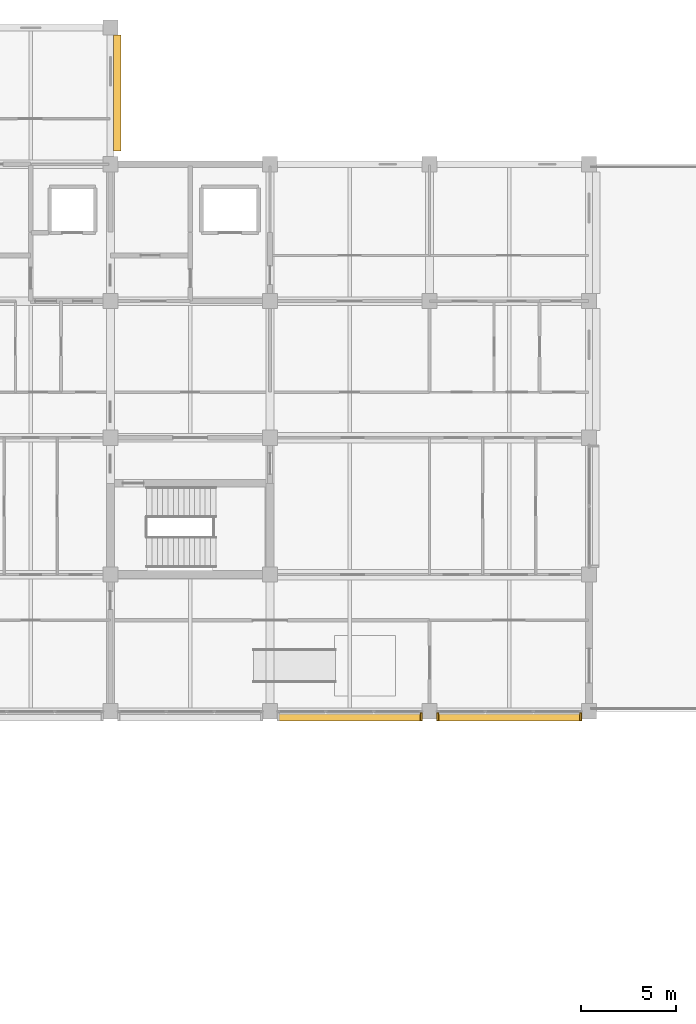
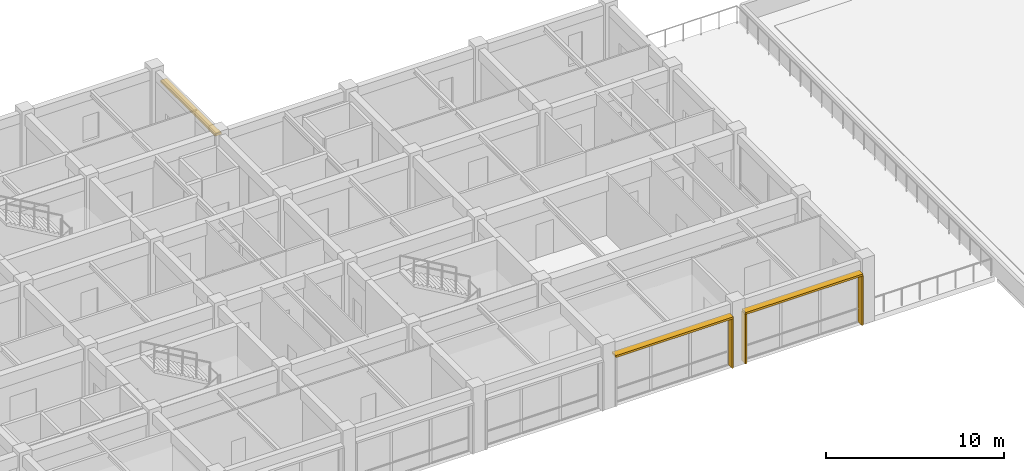
# One storey, part 38 of 40: 6 shading devices.
"""IFC4 building model written with IfcOpenShell, lengths in metres."""

from ifc_helpers import new_model, si_unit, direction, frame, origin, origin_2d, place, context, subcontext, project, spatial, rectangle, extrude, material, type_object, element, save


model = new_model("IFC4")

# Units and contexts
model_context = context("Model", 3, precision=1e-05, world=origin(), true_north=direction((0.0, 1.0)))
body_context = subcontext(model_context, "Body", "Model", "MODEL_VIEW")
ifc_project = project(units=[si_unit("LENGTHUNIT", "METRE"), si_unit("AREAUNIT", "SQUARE_METRE"), si_unit("VOLUMEUNIT", "CUBIC_METRE"), si_unit("PLANEANGLEUNIT", "RADIAN"), si_unit("MASSUNIT", "GRAM", prefix="KILO")], contexts=[model_context])

# Site, building, storey
site_placement = place(None, origin())
site = spatial("IfcSite", under=ifc_project, at=site_placement, CompositionType="ELEMENT")
building_placement = place(site_placement, origin())
building = spatial("IfcBuilding", under=site, at=building_placement, Name="Chengyuan Square Courthouse", CompositionType="ELEMENT")
storey_placement = place(building_placement, frame((0.0, 0.0, 21.60009765625)))
storey = spatial("IfcBuildingStorey", under=building, at=storey_placement, Name="L05", CompositionType="ELEMENT", Elevation=21.60009765625)

# Shading devices
ifc_material_1 = material(Name="Glulam TCt28 Solar Shading Fin", Category="wood")
shading_device_type_1 = type_object("IfcShadingDeviceType", Name="SHD-01", PredefinedType="JALOUSIE", material=ifc_material_1)
for number, where, z_axis, x_axis, name in (
    (1, (133.969970703125, 78.91796875, 0.0400390625), (0.0, 0.0, 1.0), (0.0, 1.0, 0.0), "Glulam Solar Fin SHD-L05-0567"),
    (2, (134.830078125, 78.91796875, 0.0400390625), (0.0, 0.0, 1.0), (0.0, 1.0, 0.0), "Glulam Solar Fin SHD-L05-0569"),
    (3, (142.3701171875, 78.91796875, 0.0400390625), (0.0, 0.0, 1.0), (0.0, 1.0, 0.0), "Glulam Solar Fin SHD-L05-0570"),
):
    element("IfcShadingDevice", number, at=place(storey_placement, frame(where, z_axis=z_axis, x_axis=x_axis)), inside=storey, type_object=shading_device_type_1, Name=name, PredefinedType="JALOUSIE", context=body_context, shape_type="SweptSolid", body=[
        extrude(rectangle(XDim=0.419921875, YDim=0.094970703125, at=origin_2d()), origin(), (0.0, 0.0, 1.0), 3.3798828125),
    ])
ifc_material_2 = material(Name="Glulam TCt28 Sunshade Louvre", Category="wood")
shading_device_type_2 = type_object("IfcShadingDeviceType", Name="SHD-02", PredefinedType="AWNING", material=ifc_material_2)
for number, where, z_axis, x_axis, name in (
    (4, (130.199951171875, 78.91796875, 3.419921875), (0.0, 0.0, 1.0), (1.0, 0.0, 0.0), "Glulam Sunshade Louvre SHD-L05-0568"),
    (5, (138.60009765625, 78.91796875, 3.419921875), (0.0, 0.0, 1.0), (1.0, 0.0, 0.0), "Glulam Sunshade Louvre SHD-L05-0571"),
):
    element("IfcShadingDevice", number, at=place(storey_placement, frame(where, z_axis=z_axis, x_axis=x_axis)), inside=storey, type_object=shading_device_type_2, Name=name, PredefinedType="AWNING", context=body_context, shape_type="SweptSolid", body=[
        extrude(rectangle(XDim=7.60009765625, YDim=0.43994140625, at=origin_2d()), origin(), (0.0, 0.0, 1.0), 0.139892578125),
    ])
ifc_material_3 = material(Name="Glulam TCt28 Facade Sunshade", Category="wood")
shading_device_type_3 = type_object("IfcShadingDeviceType", Name="SHD-03", PredefinedType="AWNING", material=ifc_material_3)
shading_device_placement = place(storey_placement, frame((117.967041015625, 111.75, 3.39990234375), z_axis=(0.0, 0.0, 1.0), x_axis=(0.0, 1.0, 0.0)))
element("IfcShadingDevice", 6, at=shading_device_placement, inside=storey, type_object=shading_device_type_3, Name="Glulam Facade Sunshade SHD-L05-0562", PredefinedType="AWNING", context=body_context, shape_type="SweptSolid", body=[
    extrude(rectangle(XDim=6.110107421875, YDim=0.39990234375, at=origin_2d()), origin(), (0.0, 0.0, 1.0), 0.139892578125),
])

save(model, "model.ifc")
